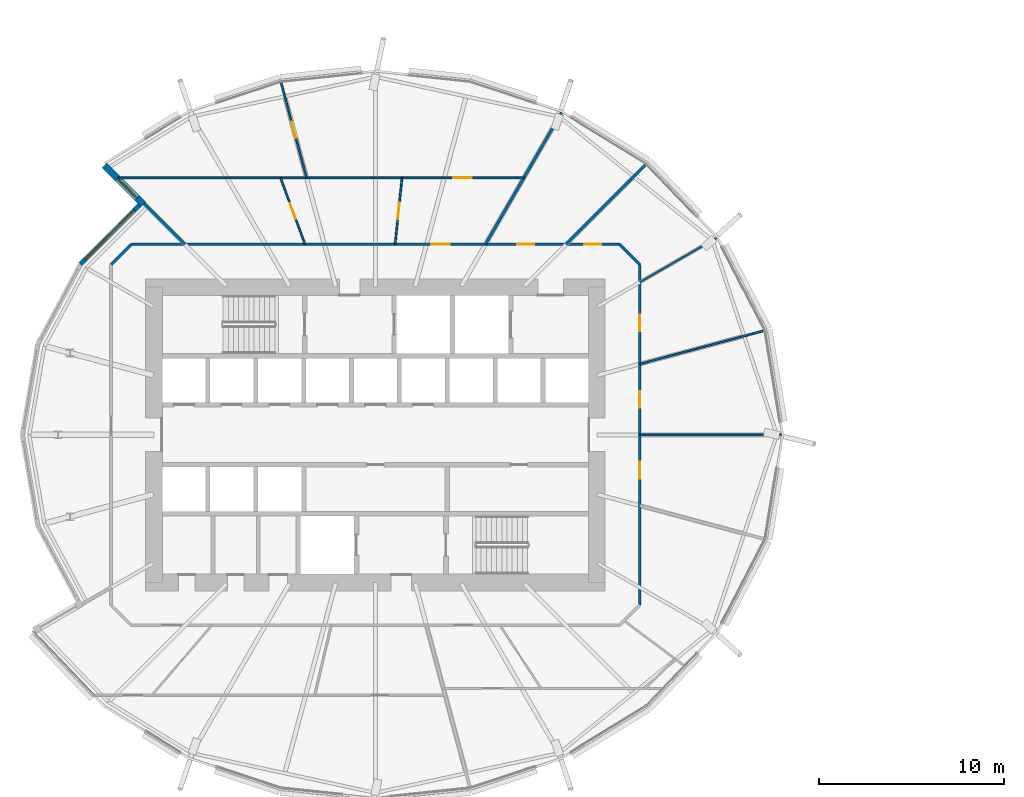
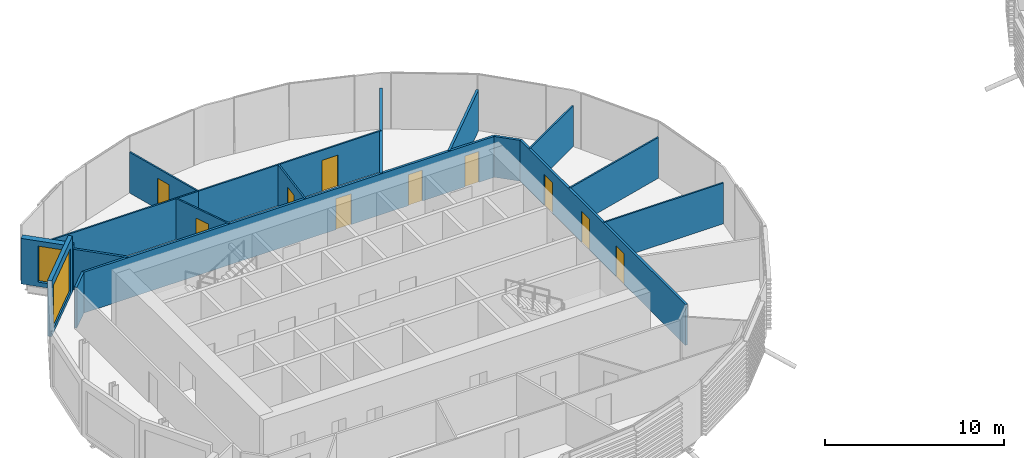
# One storey, part 21 of 36: 17 walls, 10 doors, 2 windows, 12 openings.
"""IFC4 building model written with IfcOpenShell, lengths in metres."""

from ifc_helpers import new_model, si_unit, direction, frame, frame_2d, origin, place, context, subcontext, project, spatial, rectangle, extrude, material, layer, layer_set, type_object, element, fill, save


model = new_model("IFC4")

# Units and contexts
model_context = context("Model", 3, precision=1e-05, world=origin(), true_north=direction((0.0, 1.0)))
body_context = subcontext(model_context, "Body", "Model", "MODEL_VIEW")
ifc_project = project(units=[si_unit("LENGTHUNIT", "METRE"), si_unit("AREAUNIT", "SQUARE_METRE"), si_unit("VOLUMEUNIT", "CUBIC_METRE"), si_unit("PLANEANGLEUNIT", "RADIAN"), si_unit("MASSUNIT", "GRAM", prefix="KILO")], contexts=[model_context])

# Site, building, storey
site_placement = place(None, origin())
site = spatial("IfcSite", under=ifc_project, at=site_placement, CompositionType="ELEMENT")
building_placement = place(site_placement, origin())
building = spatial("IfcBuilding", under=site, at=building_placement, Name="Rimbun Link Towers", CompositionType="ELEMENT")
storey_placement = place(building_placement, frame((0.0, 0.0, 33.800048828125)))
storey = spatial("IfcBuildingStorey", under=building, at=storey_placement, Name="L07", CompositionType="ELEMENT", Elevation=33.800048828125)

# Wall, opening, window
ifc_material_1 = material(Name="Dark enamelled glass spandrel on insulated aluminium backpan", Category="aluminium")
ifc_layer_1 = layer(ifc_material_1, 0.25)
ifc_layer_set_1 = layer_set([ifc_layer_1], Name="CS dark enamelled spandrel wall 250")
wall_type_1 = type_object("IfcWallType", Name="CS dark enamelled spandrel wall 250", PredefinedType="STANDARD", material=ifc_layer_set_1)
wall_1_placement = place(storey_placement, frame((-47.73828125, 9.247314453125, 0.0), z_axis=(0.0, 0.0, 1.0), x_axis=(0.704968436266, 0.709238679056, 0.0)))
wall_1 = element("IfcWall", 1, at=wall_1_placement, inside=storey, type_object=wall_type_1, Name="Crease spandrel wall", PredefinedType="STANDARD", context=body_context, shape_type="SweptSolid", body=[
    extrude(rectangle(XDim=4.5166015625, YDim=0.25, at=frame_2d((2.25830078125, 0.0))), origin(), (0.0, 0.0, 1.0), 3.800048828125),
])
opening_1_placement = place(wall_1_placement, frame((0.38330078125, 0.0, 0.300048828125)))
opening_1 = element("IfcOpeningElement", 2, at=opening_1_placement, cuts=wall_1, Name="Opening WR38H295", PredefinedType="OPENING", context=body_context, shape_type="SweptSolid", body=[
    extrude(rectangle(XDim=3.75, YDim=2.949951171875, at=frame_2d((1.875, 1.47509765625))), frame((0.0, 0.135009765625, 0.0), z_axis=(0.0, -1.0, 0.0), x_axis=(1.0, 0.0, 0.0)), (0.0, 0.0, 1.0), 0.27001953125),
])
ifc_material_2 = material(Name="Aluminium framed fixed window, dark tinted low-e glass", Category="aluminium")
window_type_1 = type_object("IfcWindowType", Name="WR ribbon window 3750X2950", PartitioningType="SINGLE_PANEL", PredefinedType="WINDOW", material=ifc_material_2)
window_1_placement = place(opening_1_placement, origin())
window_1 = element("IfcWindow", 3, at=window_1_placement, inside=storey, type_object=window_type_1, Name="Crease ribbon window", OverallHeight=2.949951171875, OverallWidth=3.75, PartitioningType="SINGLE_PANEL", PredefinedType="WINDOW", context=body_context, shape_type="SweptSolid", body=[
    extrude(rectangle(XDim=3.75, YDim=2.949951171875, at=frame_2d((1.875, 1.47509765625))), frame((0.0, 0.030029296875, 0.0), z_axis=(0.0, -1.0, 0.0), x_axis=(1.0, 0.0, 0.0)), (0.0, 0.0, 1.0), 0.06005859375),
])
fill(opening_1, window_1)

ifc_material_3 = material(Name="Dark enamelled glass spandrel on insulated aluminium backpan", Category="aluminium")
ifc_layer_2 = layer(ifc_material_3, 0.3701171875)
ifc_layer_set_2 = layer_set([ifc_layer_2], Name="CS dark enamelled spandrel wall 370")
wall_type_2 = type_object("IfcWallType", Name="CS dark enamelled spandrel wall 370", PredefinedType="STANDARD", material=ifc_layer_set_2)
wall_2_placement = place(storey_placement, frame((-44.33544921875, 12.49365234375, 0.0), z_axis=(0.0, 0.0, 1.0), x_axis=(-0.707147745574, 0.707065814425, 0.0)))
wall_2 = element("IfcWall", 4, at=wall_2_placement, inside=storey, type_object=wall_type_2, Name="Crease spandrel wall", PredefinedType="STANDARD", context=body_context, shape_type="SweptSolid", body=[
    extrude(rectangle(XDim=2.979736328125, YDim=0.3701171875, at=frame_2d((1.48974609375, 0.0))), origin(), (0.0, 0.0, 1.0), 3.096923828125),
])
opening_2_placement = place(wall_2_placement, frame((0.477294921875, 0.0, 0.300048828125)))
opening_2 = element("IfcOpeningElement", 5, at=opening_2_placement, cuts=wall_2, Name="Opening WR15H245", PredefinedType="OPENING", context=body_context, shape_type="SweptSolid", body=[
    extrude(rectangle(XDim=1.5, YDim=2.449951171875, at=frame_2d((0.75, 1.22509765625))), frame((0.0, 0.195068359375, 0.0), z_axis=(0.0, -1.0, 0.0), x_axis=(1.0, 0.0, 0.0)), (0.0, 0.0, 1.0), 0.39013671875),
])
ifc_material_4 = material(Name="Aluminium framed fixed window, dark tinted low-e glass", Category="aluminium")
window_type_2 = type_object("IfcWindowType", Name="WR ribbon window 1500X2450", PartitioningType="SINGLE_PANEL", PredefinedType="WINDOW", material=ifc_material_4)
window_2_placement = place(opening_2_placement, origin())
window_2 = element("IfcWindow", 6, at=window_2_placement, inside=storey, type_object=window_type_2, Name="Crease ribbon window", OverallHeight=2.449951171875, OverallWidth=1.5, PartitioningType="SINGLE_PANEL", PredefinedType="WINDOW", context=body_context, shape_type="SweptSolid", body=[
    extrude(rectangle(XDim=1.5, YDim=2.449951171875, at=frame_2d((0.75, 1.22509765625))), frame((0.0, 0.030029296875, 0.0), z_axis=(0.0, -1.0, 0.0), x_axis=(1.0, 0.0, 0.0)), (0.0, 0.0, 1.0), 0.06005859375),
])
fill(opening_2, window_2)

# Wall, openings, doors
ifc_material_5 = material(Name="Plasterboard on steel stud, mineral wool", Category="steel")
ifc_layer_3 = layer(ifc_material_5, 0.14990234375)
ifc_layer_set_3 = layer_set([ifc_layer_3], Name="Corridor wall EI 30 150 mm")
wall_type_3 = type_object("IfcWallType", Name="Corridor wall EI 30 150 mm", PredefinedType="PARTITIONING", material=ifc_layer_set_3)
wall_3_placement = place(storey_placement, frame((-44.976806640625, 10.324951171875, 0.0), z_axis=(0.0, 0.0, 1.0), x_axis=(1.0, 0.0, 0.0)))
wall_3 = element("IfcWall", 7, at=wall_3_placement, inside=storey, type_object=wall_type_3, Name="Corridor wall EI 30 150 mm", PredefinedType="PARTITIONING", context=body_context, shape_type="SweptSolid", body=[
    extrude(rectangle(XDim=26.45361328125, YDim=0.14990234375, at=frame_2d((13.226806640625, 0.0))), origin(), (0.0, 0.0, 1.0), 2.779052734375),
])
opening_3_placement = place(wall_3_placement, frame((24.552490234375, 0.0, 0.0)))
opening_3 = element("IfcOpeningElement", 8, at=opening_3_placement, cuts=wall_3, Name="Opening D02", PredefinedType="OPENING", context=body_context, shape_type="SweptSolid", body=[
    extrude(rectangle(XDim=0.89990234375, YDim=2.10009765625, at=frame_2d((0.449951171875, 1.050048828125))), frame((0.0, 0.0849609375, 0.0), z_axis=(0.0, -1.0, 0.0), x_axis=(1.0, 0.0, 0.0)), (0.0, 0.0, 1.0), 0.169921875),
])
opening_4_placement = place(wall_3_placement, frame((20.919921875, 0.0, 0.0)))
opening_4 = element("IfcOpeningElement", 9, at=opening_4_placement, cuts=wall_3, Name="Opening D02", PredefinedType="OPENING", context=body_context, shape_type="SweptSolid", body=[
    extrude(rectangle(XDim=0.89990234375, YDim=2.10009765625, at=frame_2d((0.449951171875, 1.050048828125))), frame((0.0, 0.0849609375, 0.0), z_axis=(0.0, -1.0, 0.0), x_axis=(1.0, 0.0, 0.0)), (0.0, 0.0, 1.0), 0.169921875),
])
opening_5_placement = place(wall_3_placement, frame((16.2412109375, 0.0, 0.0)))
opening_5 = element("IfcOpeningElement", 10, at=opening_5_placement, cuts=wall_3, Name="Opening D01", PredefinedType="OPENING", context=body_context, shape_type="SweptSolid", body=[
    extrude(rectangle(XDim=1.0, YDim=2.10009765625, at=frame_2d((0.5, 1.050048828125))), frame((0.0, 0.0849609375, 0.0), z_axis=(0.0, -1.0, 0.0), x_axis=(1.0, 0.0, 0.0)), (0.0, 0.0, 1.0), 0.169921875),
])
ifc_material_6 = material(Name="Fire-resisting timber door leaf", Category="wood")
door_type_1 = type_object("IfcDoorType", Name="Fire door FD30S 1000", OperationType="NOTDEFINED", PredefinedType="DOOR", material=ifc_material_6)
door_1_placement = place(opening_5_placement, origin())
door_1 = element("IfcDoor", 11, at=door_1_placement, inside=storey, type_object=door_type_1, Name="Fire door FD30S 1000 to Reception", OperationType="SINGLE_SWING_RIGHT", OverallHeight=2.10009765625, OverallWidth=1.0, PredefinedType="DOOR", context=body_context, shape_type="SweptSolid", body=[
    extrude(rectangle(XDim=1.0, YDim=2.10009765625, at=frame_2d((0.5, 1.050048828125))), frame((0.0, 0.02490234375, 0.0), z_axis=(0.0, -1.0, 0.0), x_axis=(1.0, 0.0, 0.0)), (0.0, 0.0, 1.0), 0.050048828125),
])
fill(opening_5, door_1)
ifc_material_7 = material(Name="Fire-resisting timber door leaf", Category="wood")
door_type_2 = type_object("IfcDoorType", Name="Fire door FD30S 900", OperationType="NOTDEFINED", PredefinedType="DOOR", material=ifc_material_7)
door_2_placement = place(opening_3_placement, origin())
door_2 = element("IfcDoor", 12, at=door_2_placement, inside=storey, type_object=door_type_2, Name="Fire door FD30S 900 to Meeting room", OperationType="SINGLE_SWING_RIGHT", OverallHeight=2.10009765625, OverallWidth=0.89990234375, PredefinedType="DOOR", context=body_context, shape_type="SweptSolid", body=[
    extrude(rectangle(XDim=0.89990234375, YDim=2.10009765625, at=frame_2d((0.449951171875, 1.050048828125))), frame((0.0, 0.02490234375, 0.0), z_axis=(0.0, -1.0, 0.0), x_axis=(1.0, 0.0, 0.0)), (0.0, 0.0, 1.0), 0.050048828125),
])
fill(opening_3, door_2)
door_3_placement = place(opening_4_placement, origin())
door_3 = element("IfcDoor", 13, at=door_3_placement, inside=storey, type_object=door_type_2, Name="Fire door FD30S 900 to Print room", OperationType="SINGLE_SWING_LEFT", OverallHeight=2.10009765625, OverallWidth=0.89990234375, PredefinedType="DOOR", context=body_context, shape_type="SweptSolid", body=[
    extrude(rectangle(XDim=0.89990234375, YDim=2.10009765625, at=frame_2d((0.449951171875, 1.050048828125))), frame((0.0, 0.02490234375, 0.0), z_axis=(0.0, -1.0, 0.0), x_axis=(1.0, 0.0, 0.0)), (0.0, 0.0, 1.0), 0.050048828125),
])
fill(opening_4, door_3)

# Wall
wall_4_placement = place(storey_placement, frame((-17.425048828125, 9.226806640625, 0.0), z_axis=(0.0, 0.0, 1.0), x_axis=(-0.707106781187, 0.707106781187, 0.0)))
element("IfcWall", 14, at=wall_4_placement, inside=storey, type_object=wall_type_3, Name="Corridor wall EI 30 150 mm", PredefinedType="PARTITIONING", context=body_context, shape_type="SweptSolid", body=[
    extrude(rectangle(XDim=1.552978515625, YDim=0.14990234375, at=frame_2d((0.7763671875, 0.0))), origin(), (0.0, 0.0, 1.0), 2.779052734375),
])

# Wall, openings, doors
wall_5_placement = place(storey_placement, frame((-17.425048828125, 9.226806640625, 0.0), z_axis=(0.0, 0.0, 1.0), x_axis=(0.0, -1.0, 0.0)))
wall_5 = element("IfcWall", 15, at=wall_5_placement, inside=storey, type_object=wall_type_3, Name="Corridor wall EI 30 150 mm", PredefinedType="PARTITIONING", context=body_context, shape_type="SweptSolid", body=[
    extrude(rectangle(XDim=18.45361328125, YDim=0.14990234375, at=frame_2d((9.226806640625, 0.0))), origin(), (0.0, 0.0, 1.0), 2.779052734375),
])
opening_6_placement = place(wall_5_placement, frame((10.69580078125, 0.0, 0.0)))
opening_6 = element("IfcOpeningElement", 16, at=opening_6_placement, cuts=wall_5, Name="Opening D02", PredefinedType="OPENING", context=body_context, shape_type="SweptSolid", body=[
    extrude(rectangle(XDim=0.89990234375, YDim=2.10009765625, at=frame_2d((0.449951171875, 1.050048828125))), frame((0.0, 0.0849609375, 0.0), z_axis=(0.0, -1.0, 0.0), x_axis=(1.0, 0.0, 0.0)), (0.0, 0.0, 1.0), 0.169921875),
])
opening_7_placement = place(wall_5_placement, frame((6.857421875, 0.0, 0.0)))
opening_7 = element("IfcOpeningElement", 17, at=opening_7_placement, cuts=wall_5, Name="Opening D02", PredefinedType="OPENING", context=body_context, shape_type="SweptSolid", body=[
    extrude(rectangle(XDim=0.89990234375, YDim=2.10009765625, at=frame_2d((0.449951171875, 1.050048828125))), frame((0.0, 0.0849609375, 0.0), z_axis=(0.0, -1.0, 0.0), x_axis=(1.0, 0.0, 0.0)), (0.0, 0.0, 1.0), 0.169921875),
])
opening_8_placement = place(wall_5_placement, frame((2.72216796875, 0.0, 0.0)))
opening_8 = element("IfcOpeningElement", 18, at=opening_8_placement, cuts=wall_5, Name="Opening D02", PredefinedType="OPENING", context=body_context, shape_type="SweptSolid", body=[
    extrude(rectangle(XDim=0.89990234375, YDim=2.10009765625, at=frame_2d((0.449951171875, 1.050048828125))), frame((0.0, 0.0849609375, 0.0), z_axis=(0.0, -1.0, 0.0), x_axis=(1.0, 0.0, 0.0)), (0.0, 0.0, 1.0), 0.169921875),
])
door_4_placement = place(opening_6_placement, origin())
door_4 = element("IfcDoor", 19, at=door_4_placement, inside=storey, type_object=door_type_2, Name="Fire door FD30S 900 to Cellular office", OperationType="SINGLE_SWING_LEFT", OverallHeight=2.10009765625, OverallWidth=0.89990234375, PredefinedType="DOOR", context=body_context, shape_type="SweptSolid", body=[
    extrude(rectangle(XDim=0.89990234375, YDim=2.10009765625, at=frame_2d((0.449951171875, 1.050048828125))), frame((0.0, 0.02490234375, 0.0), z_axis=(0.0, -1.0, 0.0), x_axis=(1.0, 0.0, 0.0)), (0.0, 0.0, 1.0), 0.050048828125),
])
fill(opening_6, door_4)
door_5_placement = place(opening_7_placement, origin())
door_5 = element("IfcDoor", 20, at=door_5_placement, inside=storey, type_object=door_type_2, Name="Fire door FD30S 900 to Cellular office", OperationType="SINGLE_SWING_RIGHT", OverallHeight=2.10009765625, OverallWidth=0.89990234375, PredefinedType="DOOR", context=body_context, shape_type="SweptSolid", body=[
    extrude(rectangle(XDim=0.89990234375, YDim=2.10009765625, at=frame_2d((0.449951171875, 1.050048828125))), frame((0.0, 0.02490234375, 0.0), z_axis=(0.0, -1.0, 0.0), x_axis=(1.0, 0.0, 0.0)), (0.0, 0.0, 1.0), 0.050048828125),
])
fill(opening_7, door_5)
door_6_placement = place(opening_8_placement, origin())
door_6 = element("IfcDoor", 21, at=door_6_placement, inside=storey, type_object=door_type_2, Name="Fire door FD30S 900 to Cellular office", OperationType="SINGLE_SWING_LEFT", OverallHeight=2.10009765625, OverallWidth=0.89990234375, PredefinedType="DOOR", context=body_context, shape_type="SweptSolid", body=[
    extrude(rectangle(XDim=0.89990234375, YDim=2.10009765625, at=frame_2d((0.449951171875, 1.050048828125))), frame((0.0, 0.02490234375, 0.0), z_axis=(0.0, -1.0, 0.0), x_axis=(1.0, 0.0, 0.0)), (0.0, 0.0, 1.0), 0.050048828125),
])
fill(opening_8, door_6)

# Walls
wall_6_placement = place(storey_placement, frame((-44.976806640625, 10.324951171875, 0.0), z_axis=(0.0, 0.0, 1.0), x_axis=(-0.707106781187, -0.707106781187, 0.0)))
element("IfcWall", 22, at=wall_6_placement, inside=storey, type_object=wall_type_3, Name="Corridor wall EI 30 150 mm", PredefinedType="PARTITIONING", context=body_context, shape_type="SweptSolid", body=[
    extrude(rectangle(XDim=1.552978515625, YDim=0.14990234375, at=frame_2d((0.7763671875, 0.0))), origin(), (0.0, 0.0, 1.0), 2.779052734375),
])
ifc_material_8 = material(Name="Plasterboard on steel stud", Category="steel")
ifc_layer_4 = layer(ifc_material_8, 0.10009765625)
ifc_layer_set_4 = layer_set([ifc_layer_4], Name="Plasterboard partition 100 mm")
wall_type_4 = type_object("IfcWallType", Name="Plasterboard partition 100 mm", PredefinedType="PARTITIONING", material=ifc_layer_set_4)
wall_7_placement = place(storey_placement, frame((-9.7373046875, 0.0, 0.0), z_axis=(0.0, 0.0, 1.0), x_axis=(-1.0, 0.0, 0.0)))
element("IfcWall", 23, at=wall_7_placement, inside=storey, type_object=wall_type_4, Name="Plasterboard partition 100 mm", PredefinedType="PARTITIONING", context=body_context, shape_type="SweptSolid", body=[
    extrude(rectangle(XDim=7.687744140625, YDim=0.10009765625, at=frame_2d((3.84375, 0.0))), origin(), (0.0, 0.0, 1.0), 2.779052734375),
])
wall_8_placement = place(storey_placement, frame((-10.666259765625, 5.6494140625, 0.0), z_axis=(0.0, 0.0, 1.0), x_axis=(-0.965925001487, -0.258822123285, 0.0)))
element("IfcWall", 24, at=wall_8_placement, inside=storey, type_object=wall_type_4, Name="Plasterboard partition 100 mm", PredefinedType="PARTITIONING", context=body_context, shape_type="SweptSolid", body=[
    extrude(rectangle(XDim=6.997314453125, YDim=0.10009765625, at=frame_2d((3.49853515625, 0.0))), origin(), (0.0, 0.0, 1.0), 2.779052734375),
])
wall_9_placement = place(storey_placement, frame((-13.26513671875, 10.672119140625, 0.0), z_axis=(0.0, 0.0, 1.0), x_axis=(-0.866035774857, -0.499982036344, 0.0)))
element("IfcWall", 25, at=wall_9_placement, inside=storey, type_object=wall_type_4, Name="Plasterboard partition 100 mm", PredefinedType="PARTITIONING", context=body_context, shape_type="SweptSolid", body=[
    extrude(rectangle(XDim=4.803466796875, YDim=0.10009765625, at=frame_2d((2.40185546875, 0.0))), origin(), (0.0, 0.0, 1.0), 2.779052734375),
])

# Wall, opening, door
wall_10_placement = place(storey_placement, frame((-30.682373046875, 10.324951171875, 0.0), z_axis=(0.0, 0.0, 1.0), x_axis=(0.102869232658, 0.994694888381, 0.0)))
wall_10 = element("IfcWall", 26, at=wall_10_placement, inside=storey, type_object=wall_type_4, Name="Plasterboard partition 100 mm", PredefinedType="PARTITIONING", context=body_context, shape_type="SweptSolid", body=[
    extrude(rectangle(XDim=3.619384765625, YDim=0.10009765625, at=frame_2d((1.8095703125, 0.0))), origin(), (0.0, 0.0, 1.0), 2.779052734375),
])
opening_9_placement = place(wall_10_placement, frame((1.359619140625, 0.0, 0.0)))
opening_9 = element("IfcOpeningElement", 27, at=opening_9_placement, cuts=wall_10, Name="Opening D04", PredefinedType="OPENING", context=body_context, shape_type="SweptSolid", body=[
    extrude(rectangle(XDim=0.89990234375, YDim=2.10009765625, at=frame_2d((0.449951171875, 1.050048828125))), frame((0.0, 0.06005859375, 0.0), z_axis=(0.0, -1.0, 0.0), x_axis=(1.0, 0.0, 0.0)), (0.0, 0.0, 1.0), 0.1201171875),
])
ifc_material_9 = material(Name="Timber door leaf", Category="wood")
door_type_3 = type_object("IfcDoorType", Name="Flush door 900", OperationType="NOTDEFINED", PredefinedType="DOOR", material=ifc_material_9)
door_7_placement = place(opening_9_placement, origin())
door_7 = element("IfcDoor", 28, at=door_7_placement, inside=storey, type_object=door_type_3, Name="Flush door 900 to Meeting room", OperationType="SINGLE_SWING_RIGHT", OverallHeight=2.10009765625, OverallWidth=0.89990234375, PredefinedType="DOOR", context=body_context, shape_type="SweptSolid", body=[
    extrude(rectangle(XDim=0.89990234375, YDim=2.10009765625, at=frame_2d((0.449951171875, 1.050048828125))), frame((0.0, 0.02490234375, 0.0), z_axis=(0.0, -1.0, 0.0), x_axis=(1.0, 0.0, 0.0)), (0.0, 0.0, 1.0), 0.050048828125),
])
fill(opening_9, door_7)

wall_11_placement = place(storey_placement, frame((-35.481201171875, 13.925048828125, 0.0), z_axis=(0.0, 0.0, 1.0), x_axis=(1.0, 0.0, 0.0)))
wall_11 = element("IfcWall", 29, at=wall_11_placement, inside=storey, type_object=wall_type_4, Name="Plasterboard partition 100 mm", PredefinedType="PARTITIONING", context=body_context, shape_type="SweptSolid", body=[
    extrude(rectangle(XDim=11.770751953125, YDim=0.10009765625, at=frame_2d((5.88525390625, 0.0))), origin(), (0.0, 0.0, 1.0), 2.779052734375),
])
opening_10_placement = place(wall_11_placement, frame((7.955810546875, 0.0, 0.0)))
opening_10 = element("IfcOpeningElement", 30, at=opening_10_placement, cuts=wall_11, Name="Opening D03", PredefinedType="OPENING", context=body_context, shape_type="SweptSolid", body=[
    extrude(rectangle(XDim=1.0, YDim=2.10009765625, at=frame_2d((0.5, 1.050048828125))), frame((0.0, 0.06005859375, 0.0), z_axis=(0.0, -1.0, 0.0), x_axis=(1.0, 0.0, 0.0)), (0.0, 0.0, 1.0), 0.1201171875),
])
ifc_material_10 = material(Name="Timber door leaf", Category="wood")
door_type_4 = type_object("IfcDoorType", Name="Flush door 1000", OperationType="NOTDEFINED", PredefinedType="DOOR", material=ifc_material_10)
door_8_placement = place(opening_10_placement, origin())
door_8 = element("IfcDoor", 31, at=door_8_placement, inside=storey, type_object=door_type_4, Name="Flush door 1000 to Co-working space", OperationType="SINGLE_SWING_LEFT", OverallHeight=2.10009765625, OverallWidth=1.0, PredefinedType="DOOR", context=body_context, shape_type="SweptSolid", body=[
    extrude(rectangle(XDim=1.0, YDim=2.10009765625, at=frame_2d((0.5, 1.050048828125))), frame((0.0, 0.02490234375, 0.0), z_axis=(0.0, -1.0, 0.0), x_axis=(1.0, 0.0, 0.0)), (0.0, 0.0, 1.0), 0.050048828125),
])
fill(opening_10, door_8)

wall_12_placement = place(storey_placement, frame((-35.561279296875, 10.324951171875, 0.0), z_axis=(0.0, 0.0, 1.0), x_axis=(-0.346280195753, 0.938131134773, 0.0)))
wall_12 = element("IfcWall", 32, at=wall_12_placement, inside=storey, type_object=wall_type_4, Name="Plasterboard partition 100 mm", PredefinedType="PARTITIONING", context=body_context, shape_type="SweptSolid", body=[
    extrude(rectangle(XDim=3.83740234375, YDim=0.10009765625, at=frame_2d((1.918701171875, 0.0))), origin(), (0.0, 0.0, 1.0), 2.779052734375),
])
opening_11_placement = place(wall_12_placement, frame((1.46875, 0.0, 0.0)))
opening_11 = element("IfcOpeningElement", 33, at=opening_11_placement, cuts=wall_12, Name="Opening D04", PredefinedType="OPENING", context=body_context, shape_type="SweptSolid", body=[
    extrude(rectangle(XDim=0.89990234375, YDim=2.10009765625, at=frame_2d((0.449951171875, 1.050048828125))), frame((0.0, 0.06005859375, 0.0), z_axis=(0.0, -1.0, 0.0), x_axis=(1.0, 0.0, 0.0)), (0.0, 0.0, 1.0), 0.1201171875),
])
door_9_placement = place(opening_11_placement, origin())
door_9 = element("IfcDoor", 34, at=door_9_placement, inside=storey, type_object=door_type_3, Name="Flush door 900 to Pantry", OperationType="SINGLE_SWING_RIGHT", OverallHeight=2.10009765625, OverallWidth=0.89990234375, PredefinedType="DOOR", context=body_context, shape_type="SweptSolid", body=[
    extrude(rectangle(XDim=0.89990234375, YDim=2.10009765625, at=frame_2d((0.449951171875, 1.050048828125))), frame((0.0, 0.02490234375, 0.0), z_axis=(0.0, -1.0, 0.0), x_axis=(1.0, 0.0, 0.0)), (0.0, 0.0, 1.0), 0.050048828125),
])
fill(opening_11, door_9)

# Wall
wall_13_placement = place(storey_placement, frame((-35.481201171875, 13.925048828125, 0.0), z_axis=(0.0, 0.0, 1.0), x_axis=(-1.0, 0.0, 0.0)))
element("IfcWall", 35, at=wall_13_placement, inside=storey, type_object=wall_type_4, Name="Plasterboard partition 100 mm", PredefinedType="PARTITIONING", context=body_context, shape_type="SweptSolid", body=[
    extrude(rectangle(XDim=10.19384765625, YDim=0.10009765625, at=frame_2d((5.096923828125, 0.0))), origin(), (0.0, 0.0, 1.0), 2.779052734375),
])

# Wall, opening, door
wall_14_placement = place(storey_placement, frame((-35.481201171875, 13.925048828125, 0.0), z_axis=(0.0, 0.0, 1.0), x_axis=(-0.258827694644, 0.96592350861, 0.0)))
wall_14 = element("IfcWall", 36, at=wall_14_placement, inside=storey, type_object=wall_type_4, Name="Plasterboard partition 100 mm", PredefinedType="PARTITIONING", context=body_context, shape_type="SweptSolid", body=[
    extrude(rectangle(XDim=5.372802734375, YDim=0.10009765625, at=frame_2d((2.6865234375, 0.0))), origin(), (0.0, 0.0, 1.0), 2.779052734375),
])
opening_12_placement = place(wall_14_placement, frame((2.236328125, 0.0, 0.0)))
opening_12 = element("IfcOpeningElement", 37, at=opening_12_placement, cuts=wall_14, Name="Opening D04", PredefinedType="OPENING", context=body_context, shape_type="SweptSolid", body=[
    extrude(rectangle(XDim=0.89990234375, YDim=2.10009765625, at=frame_2d((0.449951171875, 1.050048828125))), frame((0.0, 0.06005859375, 0.0), z_axis=(0.0, -1.0, 0.0), x_axis=(1.0, 0.0, 0.0)), (0.0, 0.0, 1.0), 0.1201171875),
])
door_10_placement = place(opening_12_placement, origin())
door_10 = element("IfcDoor", 38, at=door_10_placement, inside=storey, type_object=door_type_3, Name="Flush door 900 to Serviced office", OperationType="SINGLE_SWING_RIGHT", OverallHeight=2.10009765625, OverallWidth=0.89990234375, PredefinedType="DOOR", context=body_context, shape_type="SweptSolid", body=[
    extrude(rectangle(XDim=0.89990234375, YDim=2.10009765625, at=frame_2d((0.449951171875, 1.050048828125))), frame((0.0, 0.02490234375, 0.0), z_axis=(0.0, -1.0, 0.0), x_axis=(1.0, 0.0, 0.0)), (0.0, 0.0, 1.0), 0.050048828125),
])
fill(opening_12, door_10)

# Walls
ifc_material_11 = material(Name="Plasterboard on steel stud, mineral wool", Category="steel")
ifc_layer_5 = layer(ifc_material_11, 0.14990234375)
ifc_layer_set_5 = layer_set([ifc_layer_5], Name="Tenancy separation wall EI 60 150 mm")
wall_type_5 = type_object("IfcWallType", Name="Tenancy separation wall EI 60 150 mm", PredefinedType="PARTITIONING", material=ifc_layer_set_5)
wall_15_placement = place(storey_placement, frame((-21.425048828125, 10.324951171875, 0.0), z_axis=(0.0, 0.0, 1.0), x_axis=(0.707106781187, 0.707106781187, 0.0)))
element("IfcWall", 39, at=wall_15_placement, inside=storey, type_object=wall_type_5, Name="Tenancy separation wall EI 60 150 mm", PredefinedType="PARTITIONING", context=body_context, shape_type="SweptSolid", body=[
    extrude(rectangle(XDim=6.1318359375, YDim=0.14990234375, at=frame_2d((3.06591796875, 0.0))), origin(), (0.0, 0.0, 1.0), 2.779052734375),
])
wall_16_placement = place(storey_placement, frame((-25.788818359375, 10.324951171875, 0.0), z_axis=(0.0, 0.0, 1.0), x_axis=(0.500009360108, 0.866019999656, 0.0)))
element("IfcWall", 40, at=wall_16_placement, inside=storey, type_object=wall_type_5, Name="Tenancy separation wall EI 60 150 mm", PredefinedType="PARTITIONING", context=body_context, shape_type="SweptSolid", body=[
    extrude(rectangle(XDim=8.249755859375, YDim=0.14990234375, at=frame_2d((4.125, 0.0))), origin(), (0.0, 0.0, 1.0), 2.779052734375),
])
wall_17_placement = place(storey_placement, frame((-42.074951171875, 10.324951171875, 0.0), z_axis=(0.0, 0.0, 1.0), x_axis=(-0.707106781187, 0.707106781187, 0.0)))
element("IfcWall", 41, at=wall_17_placement, inside=storey, type_object=wall_type_5, Name="Tenancy separation wall EI 60 150 mm", PredefinedType="PARTITIONING", context=body_context, shape_type="SweptSolid", body=[
    extrude(rectangle(XDim=3.1318359375, YDim=0.14990234375, at=frame_2d((1.56591796875, 0.0))), origin(), (0.0, 0.0, 1.0), 2.779052734375),
])

save(model, "model.ifc")
